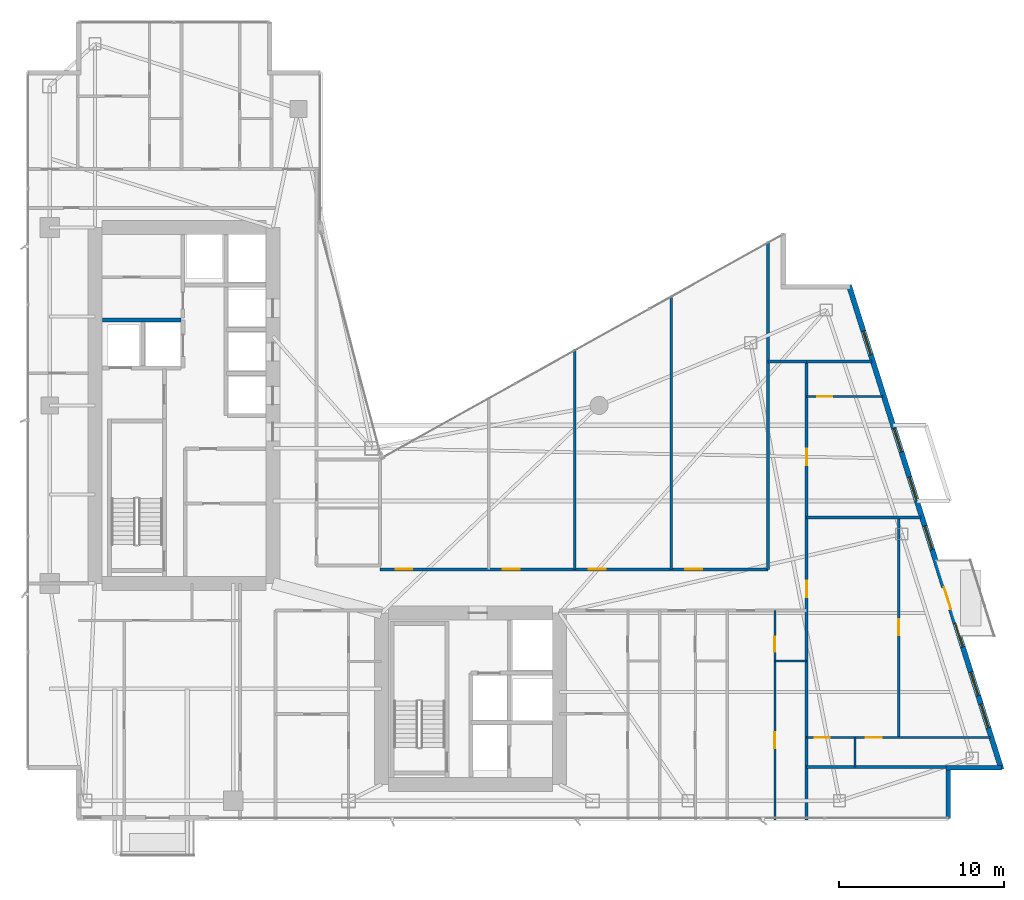
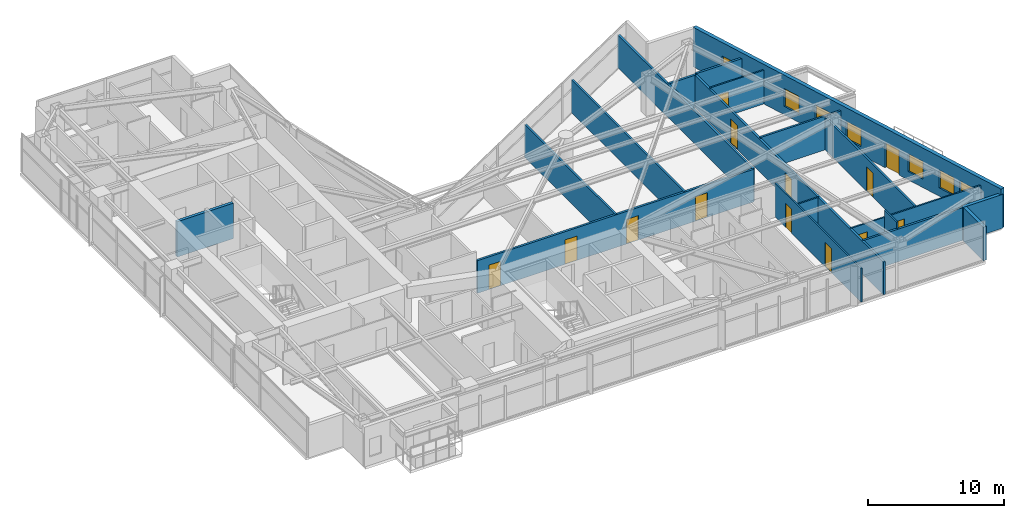
# One storey, part 24 of 28: 19 walls, 13 doors, 7 windows, 20 openings.
"""IFC4 building model written with IfcOpenShell, lengths in metres."""

from ifc_helpers import new_model, si_unit, direction, frame, frame_2d, origin, place, context, subcontext, project, spatial, rectangle, extrude, material, layer, layer_set, type_object, element, fill, save


model = new_model("IFC4")

# Units and contexts
model_context = context("Model", 3, precision=1e-05, world=origin(), true_north=direction((0.0, 1.0)))
body_context = subcontext(model_context, "Body", "Model", "MODEL_VIEW")
ifc_project = project(units=[si_unit("LENGTHUNIT", "METRE"), si_unit("AREAUNIT", "SQUARE_METRE"), si_unit("VOLUMEUNIT", "CUBIC_METRE"), si_unit("PLANEANGLEUNIT", "RADIAN"), si_unit("MASSUNIT", "GRAM", prefix="KILO")], contexts=[model_context])

# Site, building, storey
site_placement = place(None, origin())
site = spatial("IfcSite", under=ifc_project, at=site_placement, CompositionType="ELEMENT")
building_placement = place(site_placement, origin())
building = spatial("IfcBuilding", under=site, at=building_placement, Name="Calvorn Quay Hotel", CompositionType="ELEMENT")
storey_placement = place(building_placement, frame((0.0, 0.0, 178.89990234375)))
storey = spatial("IfcBuildingStorey", under=building, at=storey_placement, Name="L44", CompositionType="ELEMENT", Elevation=178.89990234375)

# Wall, openings, doors
ifc_material_1 = material(Name="Acoustic Fireboard Steel-Stud Partition", Category="steel")
ifc_layer_1 = layer(ifc_material_1, 0.179931640625)
ifc_layer_set_1 = layer_set([ifc_layer_1], Name="WL-CORR-FIRE-180")
wall_type_1 = type_object("IfcWallType", Name="WL-CORR-FIRE-180", PredefinedType="PARTITIONING", material=ifc_layer_set_1)
wall_1_placement = place(storey_placement, frame((21.5, 17.64990234375, 0.0), z_axis=(0.0, 0.0, 1.0), x_axis=(1.0, 0.0, 0.0)))
wall_1 = element("IfcWall", 1, at=wall_1_placement, inside=storey, type_object=wall_type_1, Name="Partition Wall L44-WL-CORR-NE-N", PredefinedType="PARTITIONING", context=body_context, shape_type="SweptSolid", body=[
    extrude(rectangle(XDim=23.550048828125, YDim=0.179931640625, at=frame_2d((11.77490234375, 0.0))), origin(), (0.0, 0.0, 1.0), 2.940185546875),
])
opening_1_placement = place(wall_1_placement, frame((0.949951171875, 0.0, 0.0)))
opening_1 = element("IfcOpeningElement", 2, at=opening_1_placement, cuts=wall_1, Name="Opening D-L44-NS1", PredefinedType="OPENING", context=body_context, shape_type="SweptSolid", body=[
    extrude(rectangle(XDim=1.02001953125, YDim=2.199951171875, at=frame_2d((0.510009765625, 1.10009765625))), frame((0.0, 0.099853515625, 0.0), z_axis=(0.0, -1.0, 0.0), x_axis=(1.0, 0.0, 0.0)), (0.0, 0.0, 1.0), 0.199951171875),
])
opening_2_placement = place(wall_1_placement, frame((7.4599609375, 0.0, 0.0)))
opening_2 = element("IfcOpeningElement", 3, at=opening_2_placement, cuts=wall_1, Name="Opening D-L44-NS2", PredefinedType="OPENING", context=body_context, shape_type="SweptSolid", body=[
    extrude(rectangle(XDim=1.02001953125, YDim=2.199951171875, at=frame_2d((0.510009765625, 1.10009765625))), frame((0.0, 0.099853515625, 0.0), z_axis=(0.0, -1.0, 0.0), x_axis=(1.0, 0.0, 0.0)), (0.0, 0.0, 1.0), 0.199951171875),
])
opening_3_placement = place(wall_1_placement, frame((12.679931640625, 0.0, 0.0)))
opening_3 = element("IfcOpeningElement", 4, at=opening_3_placement, cuts=wall_1, Name="Opening D-L44-NS3", PredefinedType="OPENING", context=body_context, shape_type="SweptSolid", body=[
    extrude(rectangle(XDim=1.02001953125, YDim=2.199951171875, at=frame_2d((0.510009765625, 1.10009765625))), frame((0.0, 0.099853515625, 0.0), z_axis=(0.0, -1.0, 0.0), x_axis=(1.0, 0.0, 0.0)), (0.0, 0.0, 1.0), 0.199951171875),
])
opening_4_placement = place(wall_1_placement, frame((18.5400390625, 0.0, 0.0)))
opening_4 = element("IfcOpeningElement", 5, at=opening_4_placement, cuts=wall_1, Name="Opening D-L44-NS4", PredefinedType="OPENING", context=body_context, shape_type="SweptSolid", body=[
    extrude(rectangle(XDim=1.02001953125, YDim=2.199951171875, at=frame_2d((0.510009765625, 1.10009765625))), frame((0.0, 0.099853515625, 0.0), z_axis=(0.0, -1.0, 0.0), x_axis=(1.0, 0.0, 0.0)), (0.0, 0.0, 1.0), 0.199951171875),
])
ifc_material_2 = material(Name="Solid-Core Walnut Veneer Hotel Fire Door")
door_type_1 = type_object("IfcDoorType", Name="DR-GUEST-ENTRY-1020", OperationType="NOTDEFINED", PredefinedType="DOOR", material=ifc_material_2)
door_1_placement = place(opening_1_placement, origin())
door_1 = element("IfcDoor", 6, at=door_1_placement, inside=storey, type_object=door_type_1, Name="Conservatory Salon Door 1 (L44)", OperationType="SINGLE_SWING_RIGHT", OverallHeight=2.199951171875, OverallWidth=1.02001953125, PredefinedType="DOOR", context=body_context, shape_type="SweptSolid", body=[
    extrude(rectangle(XDim=1.02001953125, YDim=2.199951171875, at=frame_2d((0.510009765625, 1.10009765625))), frame((0.0, 0.02490234375, 0.0), z_axis=(0.0, -1.0, 0.0), x_axis=(1.0, 0.0, 0.0)), (0.0, 0.0, 1.0), 0.050048828125),
])
fill(opening_1, door_1)
door_2_placement = place(opening_2_placement, origin())
door_2 = element("IfcDoor", 7, at=door_2_placement, inside=storey, type_object=door_type_1, Name="Conservatory Salon Door 2 (L44)", OperationType="SINGLE_SWING_LEFT", OverallHeight=2.199951171875, OverallWidth=1.02001953125, PredefinedType="DOOR", context=body_context, shape_type="SweptSolid", body=[
    extrude(rectangle(XDim=1.02001953125, YDim=2.199951171875, at=frame_2d((0.510009765625, 1.10009765625))), frame((0.0, 0.02490234375, 0.0), z_axis=(0.0, -1.0, 0.0), x_axis=(1.0, 0.0, 0.0)), (0.0, 0.0, 1.0), 0.050048828125),
])
fill(opening_2, door_2)
door_3_placement = place(opening_3_placement, origin())
door_3 = element("IfcDoor", 8, at=door_3_placement, inside=storey, type_object=door_type_1, Name="Conservatory Salon Door 3 (L44)", OperationType="SINGLE_SWING_RIGHT", OverallHeight=2.199951171875, OverallWidth=1.02001953125, PredefinedType="DOOR", context=body_context, shape_type="SweptSolid", body=[
    extrude(rectangle(XDim=1.02001953125, YDim=2.199951171875, at=frame_2d((0.510009765625, 1.10009765625))), frame((0.0, 0.02490234375, 0.0), z_axis=(0.0, -1.0, 0.0), x_axis=(1.0, 0.0, 0.0)), (0.0, 0.0, 1.0), 0.050048828125),
])
fill(opening_3, door_3)
door_4_placement = place(opening_4_placement, origin())
door_4 = element("IfcDoor", 9, at=door_4_placement, inside=storey, type_object=door_type_1, Name="Conservatory Salon Door 4 (L44)", OperationType="SINGLE_SWING_LEFT", OverallHeight=2.199951171875, OverallWidth=1.02001953125, PredefinedType="DOOR", context=body_context, shape_type="SweptSolid", body=[
    extrude(rectangle(XDim=1.02001953125, YDim=2.199951171875, at=frame_2d((0.510009765625, 1.10009765625))), frame((0.0, 0.02490234375, 0.0), z_axis=(0.0, -1.0, 0.0), x_axis=(1.0, 0.0, 0.0)), (0.0, 0.0, 1.0), 0.050048828125),
])
fill(opening_4, door_4)

# Walls
wall_2_placement = place(storey_placement, frame((45.050048828125, 17.64990234375, 0.0), z_axis=(0.0, 0.0, 1.0), x_axis=(0.0, 1.0, 0.0)))
element("IfcWall", 10, at=wall_2_placement, inside=storey, type_object=wall_type_1, Name="Partition Wall L44-WL-NE-END-E", PredefinedType="PARTITIONING", context=body_context, shape_type="SweptSolid", body=[
    extrude(rectangle(XDim=19.900146484375, YDim=0.179931640625, at=frame_2d((9.9501953125, 0.0))), origin(), (0.0, 0.0, 1.0), 2.940185546875),
])
wall_3_placement = place(storey_placement, frame((47.39990234375, 5.659912109375, 0.0), z_axis=(0.0, 0.0, 1.0), x_axis=(1.0, 0.0, 0.0)))
element("IfcWall", 11, at=wall_3_placement, inside=storey, type_object=wall_type_1, Name="Partition Wall L44-WL-TIP-S", PredefinedType="PARTITIONING", context=body_context, shape_type="SweptSolid", body=[
    extrude(rectangle(XDim=8.60009765625, YDim=0.179931640625, at=frame_2d((4.300048828125, 0.0))), origin(), (0.0, 0.0, 1.0), 2.940185546875),
])
wall_4_placement = place(storey_placement, frame((47.39990234375, 30.280029296875, 0.0), z_axis=(0.0, 0.0, 1.0), x_axis=(1.0, 0.0, 0.0)))
element("IfcWall", 12, at=wall_4_placement, inside=storey, type_object=wall_type_1, Name="Partition Wall L44-WL-TIP-N", PredefinedType="PARTITIONING", context=body_context, shape_type="SweptSolid", body=[
    extrude(rectangle(XDim=3.960205078125, YDim=0.179931640625, at=frame_2d((1.97998046875, 0.0))), origin(), (0.0, 0.0, 1.0), 3.0400390625),
])

# Wall, openings, doors
wall_5_placement = place(storey_placement, frame((47.39990234375, 2.43994140625, 0.0), z_axis=(0.0, 0.0, 1.0), x_axis=(0.0, 1.0, 0.0)))
wall_5 = element("IfcWall", 13, at=wall_5_placement, inside=storey, type_object=wall_type_1, Name="Partition Wall L44-WL-CORR-TIP-E", PredefinedType="PARTITIONING", context=body_context, shape_type="SweptSolid", body=[
    extrude(rectangle(XDim=27.840087890625, YDim=0.179931640625, at=frame_2d((13.919921875, 0.0))), origin(), (0.0, 0.0, 1.0), 2.940185546875),
])
opening_5_placement = place(wall_5_placement, frame((13.510009765625, 0.0, 0.0)))
opening_5 = element("IfcOpeningElement", 14, at=opening_5_placement, cuts=wall_5, Name="Opening D-L44-U08", PredefinedType="OPENING", context=body_context, shape_type="SweptSolid", body=[
    extrude(rectangle(XDim=1.02001953125, YDim=2.199951171875, at=frame_2d((0.510009765625, 1.10009765625))), frame((0.0, 0.099853515625, 0.0), z_axis=(0.0, -1.0, 0.0), x_axis=(1.0, 0.0, 0.0)), (0.0, 0.0, 1.0), 0.199951171875),
])
opening_6_placement = place(wall_5_placement, frame((21.52001953125, 0.0, 0.0)))
opening_6 = element("IfcOpeningElement", 15, at=opening_6_placement, cuts=wall_5, Name="Opening D-L44-U09", PredefinedType="OPENING", context=body_context, shape_type="SweptSolid", body=[
    extrude(rectangle(XDim=1.02001953125, YDim=2.199951171875, at=frame_2d((0.510009765625, 1.10009765625))), frame((0.0, 0.099853515625, 0.0), z_axis=(0.0, -1.0, 0.0), x_axis=(1.0, 0.0, 0.0)), (0.0, 0.0, 1.0), 0.199951171875),
])
door_5_placement = place(opening_5_placement, origin())
door_5 = element("IfcDoor", 16, at=door_5_placement, inside=storey, type_object=door_type_1, Name="Terrace Suite Door U08 (L44)", OperationType="SINGLE_SWING_LEFT", OverallHeight=2.199951171875, OverallWidth=1.02001953125, PredefinedType="DOOR", context=body_context, shape_type="SweptSolid", body=[
    extrude(rectangle(XDim=1.02001953125, YDim=2.199951171875, at=frame_2d((0.510009765625, 1.10009765625))), frame((0.0, 0.02490234375, 0.0), z_axis=(0.0, -1.0, 0.0), x_axis=(1.0, 0.0, 0.0)), (0.0, 0.0, 1.0), 0.050048828125),
])
fill(opening_5, door_5)
door_6_placement = place(opening_6_placement, origin())
door_6 = element("IfcDoor", 17, at=door_6_placement, inside=storey, type_object=door_type_1, Name="Horizon Suite Door U09 (L44)", OperationType="SINGLE_SWING_RIGHT", OverallHeight=2.199951171875, OverallWidth=1.02001953125, PredefinedType="DOOR", context=body_context, shape_type="SweptSolid", body=[
    extrude(rectangle(XDim=1.02001953125, YDim=2.199951171875, at=frame_2d((0.510009765625, 1.10009765625))), frame((0.0, 0.02490234375, 0.0), z_axis=(0.0, -1.0, 0.0), x_axis=(1.0, 0.0, 0.0)), (0.0, 0.0, 1.0), 0.050048828125),
])
fill(opening_6, door_6)

# Walls
wall_6_placement = place(storey_placement, frame((45.050048828125, 30.280029296875, 0.0), z_axis=(0.0, 0.0, 1.0), x_axis=(1.0, 0.0, 0.0)))
element("IfcWall", 18, at=wall_6_placement, inside=storey, type_object=wall_type_1, Name="Partition Wall L44-WL-CORR-TIP-NN", PredefinedType="PARTITIONING", context=body_context, shape_type="SweptSolid", body=[
    extrude(rectangle(XDim=2.349853515625, YDim=0.179931640625, at=frame_2d((1.1748046875, 0.0))), origin(), (0.0, 0.0, 1.0), 2.940185546875),
])
ifc_material_3 = material(Name="Moisture-Resistant Tile-Backed Partition")
ifc_layer_2 = layer(ifc_material_3, 0.125)
ifc_layer_set_2 = layer_set([ifc_layer_2], Name="WL-ENSUITE-125")
wall_type_2 = type_object("IfcWallType", Name="WL-ENSUITE-125", PredefinedType="PARTITIONING", material=ifc_layer_set_2)
wall_7_placement = place(storey_placement, frame((45.469970703125, 12.10009765625, 0.0), z_axis=(0.0, 0.0, 1.0), x_axis=(1.0, 0.0, 0.0)))
element("IfcWall", 19, at=wall_7_placement, inside=storey, type_object=wall_type_2, Name="Partition Wall L44-WL-U07-BDV", PredefinedType="PARTITIONING", context=body_context, shape_type="SweptSolid", body=[
    extrude(rectangle(XDim=1.929931640625, YDim=0.125, at=frame_2d((0.96484375, 0.0))), origin(), (0.0, 0.0, 1.0), 2.940185546875),
])

# Wall, openings, doors
wall_8_placement = place(storey_placement, frame((45.469970703125, 2.43994140625, 0.0), z_axis=(0.0, 0.0, 1.0), x_axis=(0.0, 1.0, 0.0)))
wall_8 = element("IfcWall", 20, at=wall_8_placement, inside=storey, type_object=wall_type_2, Name="Partition Wall L44-WL-U07-BV", PredefinedType="PARTITIONING", context=body_context, shape_type="SweptSolid", body=[
    extrude(rectangle(XDim=12.7099609375, YDim=0.125, at=frame_2d((6.35498046875, 0.0))), origin(), (0.0, 0.0, 1.0), 3.0400390625),
])
opening_7_placement = place(wall_8_placement, frame((4.35009765625, 0.0, 0.0)))
opening_7 = element("IfcOpeningElement", 21, at=opening_7_placement, cuts=wall_8, Name="Opening D-L44-S07", PredefinedType="OPENING", context=body_context, shape_type="SweptSolid", body=[
    extrude(rectangle(XDim=0.9599609375, YDim=2.199951171875, at=frame_2d((0.47998046875, 1.10009765625))), frame((0.0, 0.072509765625, 0.0), z_axis=(0.0, -1.0, 0.0), x_axis=(1.0, 0.0, 0.0)), (0.0, 0.0, 1.0), 0.14501953125),
])
opening_8_placement = place(wall_8_placement, frame((10.2099609375, 0.0, 0.0)))
opening_8 = element("IfcOpeningElement", 22, at=opening_8_placement, cuts=wall_8, Name="Opening D-L44-E07", PredefinedType="OPENING", context=body_context, shape_type="SweptSolid", body=[
    extrude(rectangle(XDim=0.89990234375, YDim=2.14990234375, at=frame_2d((0.449951171875, 1.074951171875))), frame((0.0, 0.072509765625, 0.0), z_axis=(0.0, -1.0, 0.0), x_axis=(1.0, 0.0, 0.0)), (0.0, 0.0, 1.0), 0.14501953125),
])
ifc_material_4 = material(Name="Moisture-Sealed Timber En-Suite Door", Category="wood")
door_type_2 = type_object("IfcDoorType", Name="DR-ENSUITE-900", OperationType="NOTDEFINED", PredefinedType="DOOR", material=ifc_material_4)
door_7_placement = place(opening_8_placement, origin())
door_7 = element("IfcDoor", 23, at=door_7_placement, inside=storey, type_object=door_type_2, Name="En-Suite Door 07", OperationType="SINGLE_SWING_RIGHT", OverallHeight=2.14990234375, OverallWidth=0.89990234375, PredefinedType="DOOR", context=body_context, shape_type="SweptSolid", body=[
    extrude(rectangle(XDim=0.89990234375, YDim=2.14990234375, at=frame_2d((0.449951171875, 1.074951171875))), frame((0.0, 0.02490234375, 0.0), z_axis=(0.0, -1.0, 0.0), x_axis=(1.0, 0.0, 0.0)), (0.0, 0.0, 1.0), 0.050048828125),
])
fill(opening_8, door_7)
ifc_material_5 = material(Name="Solid Timber Internal Suite Door", Category="wood")
door_type_3 = type_object("IfcDoorType", Name="DR-SUITE-INT-960", OperationType="NOTDEFINED", PredefinedType="DOOR", material=ifc_material_5)
door_8_placement = place(opening_7_placement, origin())
door_8 = element("IfcDoor", 24, at=door_8_placement, inside=storey, type_object=door_type_3, Name="Curated Resort Boutique Door 07", OperationType="SINGLE_SWING_LEFT", OverallHeight=2.199951171875, OverallWidth=0.9599609375, PredefinedType="DOOR", context=body_context, shape_type="SweptSolid", body=[
    extrude(rectangle(XDim=0.9599609375, YDim=2.199951171875, at=frame_2d((0.47998046875, 1.10009765625))), frame((0.0, 0.02490234375, 0.0), z_axis=(0.0, -1.0, 0.0), x_axis=(1.0, 0.0, 0.0)), (0.0, 0.0, 1.0), 0.050048828125),
])
fill(opening_7, door_8)

# Wall
wall_9_placement = place(storey_placement, frame((50.35009765625, 5.659912109375, 0.0), z_axis=(0.0, 0.0, 1.0), x_axis=(0.0, 1.0, 0.0)))
element("IfcWall", 25, at=wall_9_placement, inside=storey, type_object=wall_type_2, Name="Partition Wall L44-WL-U08-BDV", PredefinedType="PARTITIONING", context=body_context, shape_type="SweptSolid", body=[
    extrude(rectangle(XDim=1.7900390625, YDim=0.125, at=frame_2d((0.89501953125, 0.0))), origin(), (0.0, 0.0, 1.0), 3.56005859375),
])

# Wall, openings, doors
wall_10_placement = place(storey_placement, frame((47.39990234375, 7.449951171875, 0.0), z_axis=(0.0, 0.0, 1.0), x_axis=(1.0, 0.0, 0.0)))
wall_10 = element("IfcWall", 26, at=wall_10_placement, inside=storey, type_object=wall_type_2, Name="Partition Wall L44-WL-U08-BH", PredefinedType="PARTITIONING", context=body_context, shape_type="SweptSolid", body=[
    extrude(rectangle(XDim=11.16015625, YDim=0.125, at=frame_2d((5.580078125, 0.0))), origin(), (0.0, 0.0, 1.0), 2.940185546875),
])
opening_9_placement = place(wall_10_placement, frame((0.5, 0.0, 0.0)))
opening_9 = element("IfcOpeningElement", 27, at=opening_9_placement, cuts=wall_10, Name="Opening D-L44-E08", PredefinedType="OPENING", context=body_context, shape_type="SweptSolid", body=[
    extrude(rectangle(XDim=0.89990234375, YDim=2.14990234375, at=frame_2d((0.449951171875, 1.074951171875))), frame((0.0, 0.072509765625, 0.0), z_axis=(0.0, -1.0, 0.0), x_axis=(1.0, 0.0, 0.0)), (0.0, 0.0, 1.0), 0.14501953125),
])
opening_10_placement = place(wall_10_placement, frame((3.60009765625, 0.0, 0.0)))
opening_10 = element("IfcOpeningElement", 28, at=opening_10_placement, cuts=wall_10, Name="Opening D-L44-S08", PredefinedType="OPENING", context=body_context, shape_type="SweptSolid", body=[
    extrude(rectangle(XDim=0.9599609375, YDim=2.199951171875, at=frame_2d((0.47998046875, 1.10009765625))), frame((0.0, 0.072509765625, 0.0), z_axis=(0.0, -1.0, 0.0), x_axis=(1.0, 0.0, 0.0)), (0.0, 0.0, 1.0), 0.14501953125),
])
door_9_placement = place(opening_9_placement, origin())
door_9 = element("IfcDoor", 29, at=door_9_placement, inside=storey, type_object=door_type_2, Name="En-Suite Door 08", OperationType="SINGLE_SWING_LEFT", OverallHeight=2.14990234375, OverallWidth=0.89990234375, PredefinedType="DOOR", context=body_context, shape_type="SweptSolid", body=[
    extrude(rectangle(XDim=0.89990234375, YDim=2.14990234375, at=frame_2d((0.449951171875, 1.074951171875))), frame((0.0, 0.02490234375, 0.0), z_axis=(0.0, -1.0, 0.0), x_axis=(1.0, 0.0, 0.0)), (0.0, 0.0, 1.0), 0.050048828125),
])
fill(opening_9, door_9)
door_10_placement = place(opening_10_placement, origin())
door_10 = element("IfcDoor", 30, at=door_10_placement, inside=storey, type_object=door_type_3, Name="Curated Resort Boutique Door 08", OperationType="SINGLE_SWING_RIGHT", OverallHeight=2.199951171875, OverallWidth=0.9599609375, PredefinedType="DOOR", context=body_context, shape_type="SweptSolid", body=[
    extrude(rectangle(XDim=0.9599609375, YDim=2.199951171875, at=frame_2d((0.47998046875, 1.10009765625))), frame((0.0, 0.02490234375, 0.0), z_axis=(0.0, -1.0, 0.0), x_axis=(1.0, 0.0, 0.0)), (0.0, 0.0, 1.0), 0.050048828125),
])
fill(opening_10, door_10)

# Wall, opening, door
wall_11_placement = place(storey_placement, frame((47.39990234375, 28.14990234375, 0.0), z_axis=(0.0, 0.0, 1.0), x_axis=(1.0, 0.0, 0.0)))
wall_11 = element("IfcWall", 31, at=wall_11_placement, inside=storey, type_object=wall_type_2, Name="Partition Wall L44-WL-U09-BH", PredefinedType="PARTITIONING", context=body_context, shape_type="SweptSolid", body=[
    extrude(rectangle(XDim=4.630126953125, YDim=0.125, at=frame_2d((2.31494140625, 0.0))), origin(), (0.0, 0.0, 1.0), 3.0400390625),
])
opening_11_placement = place(wall_11_placement, frame((0.64990234375, 0.0, 0.0)))
opening_11 = element("IfcOpeningElement", 32, at=opening_11_placement, cuts=wall_11, Name="Opening D-L44-E09", PredefinedType="OPENING", context=body_context, shape_type="SweptSolid", body=[
    extrude(rectangle(XDim=0.89990234375, YDim=2.14990234375, at=frame_2d((0.449951171875, 1.074951171875))), frame((0.0, 0.072509765625, 0.0), z_axis=(0.0, -1.0, 0.0), x_axis=(1.0, 0.0, 0.0)), (0.0, 0.0, 1.0), 0.14501953125),
])
door_11_placement = place(opening_11_placement, origin())
door_11 = element("IfcDoor", 33, at=door_11_placement, inside=storey, type_object=door_type_2, Name="En-Suite Door 09", OperationType="SINGLE_SWING_LEFT", OverallHeight=2.14990234375, OverallWidth=0.89990234375, PredefinedType="DOOR", context=body_context, shape_type="SweptSolid", body=[
    extrude(rectangle(XDim=0.89990234375, YDim=2.14990234375, at=frame_2d((0.449951171875, 1.074951171875))), frame((0.0, 0.02490234375, 0.0), z_axis=(0.0, -1.0, 0.0), x_axis=(1.0, 0.0, 0.0)), (0.0, 0.0, 1.0), 0.050048828125),
])
fill(opening_11, door_11)

# Walls
ifc_material_6 = material(Name="Concrete C40", Category="concrete")
ifc_layer_3 = layer(ifc_material_6, 0.320068359375)
ifc_layer_set_3 = layer_set([ifc_layer_3], Name="WL-EXT-SPANDREL-320")
wall_type_3 = type_object("IfcWallType", Name="WL-EXT-SPANDREL-320", PredefinedType="SOLIDWALL", material=ifc_layer_set_3)
wall_12_placement = place(storey_placement, frame((56.0, 2.52001953125, 0.0), z_axis=(0.0, 0.0, 1.0), x_axis=(0.0, 1.0, 0.0)))
element("IfcWall", 34, at=wall_12_placement, inside=storey, type_object=wall_type_3, Name="Notched Corner Spandrel L44-SE1", PredefinedType="SOLIDWALL", context=body_context, shape_type="SweptSolid", body=[
    extrude(rectangle(XDim=2.93994140625, YDim=0.280029296875, at=frame_2d((1.469970703125, 0.0))), origin(), (0.0, 0.0, 1.0), 3.0400390625),
])
wall_13_placement = place(storey_placement, frame((55.860107421875, 5.60009765625, 0.0), z_axis=(0.0, 0.0, 1.0), x_axis=(1.0, 0.0, 0.0)))
element("IfcWall", 35, at=wall_13_placement, inside=storey, type_object=wall_type_3, Name="Notched Corner Spandrel L44-SE2", PredefinedType="SOLIDWALL", context=body_context, shape_type="SweptSolid", body=[
    extrude(rectangle(XDim=3.3798828125, YDim=0.280029296875, at=frame_2d((1.68994140625, 0.0))), origin(), (0.0, 0.0, 1.0), 3.0400390625),
])

# Wall, openings, door, windows
wall_14_placement = place(storey_placement, frame((59.22998046875, 5.5048828125, 0.0), z_axis=(0.0, 0.0, 1.0), x_axis=(-0.300509063924, 0.953778958931, 0.0)))
wall_14 = element("IfcWall", 36, at=wall_14_placement, inside=storey, type_object=wall_type_3, Name="East Stepped Waterfront Exterior Wall (L44)", PredefinedType="SOLIDWALL", context=body_context, shape_type="SweptSolid", body=[
    extrude(rectangle(XDim=30.814453125, YDim=0.320068359375, at=frame_2d((15.4072265625, 0.0))), origin(), (0.0, 0.0, 1.0), 3.56005859375),
])
opening_12_placement = place(wall_14_placement, frame((10.198974609375, 0.0, 0.0)))
opening_12 = element("IfcOpeningElement", 37, at=opening_12_placement, cuts=wall_14, Name="Opening DB-L44-1", PredefinedType="OPENING", context=body_context, shape_type="SweptSolid", body=[
    extrude(rectangle(XDim=1.39990234375, YDim=2.25, at=frame_2d((0.699951171875, 1.125))), frame((0.0, 0.169921875, 0.0), z_axis=(0.0, -1.0, 0.0), x_axis=(1.0, 0.0, 0.0)), (0.0, 0.0, 1.0), 0.340087890625),
])
opening_13_placement = place(wall_14_placement, frame((2.64990234375, 0.0, 0.75)))
opening_13 = element("IfcOpeningElement", 38, at=opening_13_placement, cuts=wall_14, Name="Opening WG-L44-E1", PredefinedType="OPENING", context=body_context, shape_type="SweptSolid", body=[
    extrude(rectangle(XDim=1.5, YDim=1.60009765625, at=frame_2d((0.75, 0.800048828125))), frame((0.0, 0.169921875, 0.0), z_axis=(0.0, -1.0, 0.0), x_axis=(1.0, 0.0, 0.0)), (0.0, 0.0, 1.0), 0.340087890625),
])
opening_14_placement = place(wall_14_placement, frame((4.699951171875, 0.0, 0.75)))
opening_14 = element("IfcOpeningElement", 39, at=opening_14_placement, cuts=wall_14, Name="Opening WG-L44-E2", PredefinedType="OPENING", context=body_context, shape_type="SweptSolid", body=[
    extrude(rectangle(XDim=1.5, YDim=1.60009765625, at=frame_2d((0.75, 0.800048828125))), frame((0.0, 0.169921875, 0.0), z_axis=(0.0, -1.0, 0.0), x_axis=(1.0, 0.0, 0.0)), (0.0, 0.0, 1.0), 0.340087890625),
])
opening_15_placement = place(wall_14_placement, frame((7.800048828125, 0.0, 0.75)))
opening_15 = element("IfcOpeningElement", 40, at=opening_15_placement, cuts=wall_14, Name="Opening WG-L44-E3", PredefinedType="OPENING", context=body_context, shape_type="SweptSolid", body=[
    extrude(rectangle(XDim=1.5, YDim=1.60009765625, at=frame_2d((0.75, 0.800048828125))), frame((0.0, 0.169921875, 0.0), z_axis=(0.0, -1.0, 0.0), x_axis=(1.0, 0.0, 0.0)), (0.0, 0.0, 1.0), 0.340087890625),
])
opening_16_placement = place(wall_14_placement, frame((14.0, 0.0, 0.75)))
opening_16 = element("IfcOpeningElement", 41, at=opening_16_placement, cuts=wall_14, Name="Opening WG-L44-E4", PredefinedType="OPENING", context=body_context, shape_type="SweptSolid", body=[
    extrude(rectangle(XDim=1.5, YDim=1.60009765625, at=frame_2d((0.75, 0.800048828125))), frame((0.0, 0.169921875, 0.0), z_axis=(0.0, -1.0, 0.0), x_axis=(1.0, 0.0, 0.0)), (0.0, 0.0, 1.0), 0.340087890625),
])
opening_17_placement = place(wall_14_placement, frame((17.10009765625, 0.0, 0.75)))
opening_17 = element("IfcOpeningElement", 42, at=opening_17_placement, cuts=wall_14, Name="Opening WG-L44-E5", PredefinedType="OPENING", context=body_context, shape_type="SweptSolid", body=[
    extrude(rectangle(XDim=1.5, YDim=1.60009765625, at=frame_2d((0.75, 0.800048828125))), frame((0.0, 0.169921875, 0.0), z_axis=(0.0, -1.0, 0.0), x_axis=(1.0, 0.0, 0.0)), (0.0, 0.0, 1.0), 0.340087890625),
])
opening_18_placement = place(wall_14_placement, frame((20.199951171875, 0.0, 0.75)))
opening_18 = element("IfcOpeningElement", 43, at=opening_18_placement, cuts=wall_14, Name="Opening WG-L44-E6", PredefinedType="OPENING", context=body_context, shape_type="SweptSolid", body=[
    extrude(rectangle(XDim=1.5, YDim=1.60009765625, at=frame_2d((0.75, 0.800048828125))), frame((0.0, 0.169921875, 0.0), z_axis=(0.0, -1.0, 0.0), x_axis=(1.0, 0.0, 0.0)), (0.0, 0.0, 1.0), 0.340087890625),
])
opening_19_placement = place(wall_14_placement, frame((26.39990234375, 0.0, 0.75)))
opening_19 = element("IfcOpeningElement", 44, at=opening_19_placement, cuts=wall_14, Name="Opening WG-L44-E7", PredefinedType="OPENING", context=body_context, shape_type="SweptSolid", body=[
    extrude(rectangle(XDim=1.5, YDim=1.60009765625, at=frame_2d((0.75, 0.800048828125))), frame((0.0, 0.169921875, 0.0), z_axis=(0.0, -1.0, 0.0), x_axis=(1.0, 0.0, 0.0)), (0.0, 0.0, 1.0), 0.340087890625),
])
ifc_material_7 = material(Name="Typhoon-Rated Low-E Aluminium Terrace Door", Category="aluminium")
door_type_4 = type_object("IfcDoorType", Name="DR-BALCONY-GLZ-1400", OperationType="NOTDEFINED", PredefinedType="DOOR", material=ifc_material_7)
door_12_placement = place(opening_12_placement, origin())
door_12 = element("IfcDoor", 45, at=door_12_placement, inside=storey, type_object=door_type_4, Name="Tree Balcony Terrace Door L44-BALC-E", OperationType="SINGLE_SWING_LEFT", OverallHeight=2.25, OverallWidth=1.39990234375, PredefinedType="DOOR", context=body_context, shape_type="SweptSolid", body=[
    extrude(rectangle(XDim=1.39990234375, YDim=2.25, at=frame_2d((0.699951171875, 1.125))), frame((0.0, 0.02490234375, 0.0), z_axis=(0.0, -1.0, 0.0), x_axis=(1.0, 0.0, 0.0)), (0.0, 0.0, 1.0), 0.050048828125),
])
fill(opening_12, door_12)
ifc_material_8 = material(Name="Self-Closing Class B Fire Window")
window_type = type_object("IfcWindowType", Name="WIN-REFUGE-1500x1600", PartitioningType="SINGLE_PANEL", PredefinedType="WINDOW", material=ifc_material_8)
window_1_placement = place(opening_13_placement, origin())
window_1 = element("IfcWindow", 46, at=window_1_placement, inside=storey, type_object=window_type, Name="East Facade Window L44-E1", OverallHeight=1.60009765625, OverallWidth=1.5, PartitioningType="SINGLE_PANEL", PredefinedType="WINDOW", context=body_context, shape_type="SweptSolid", body=[
    extrude(rectangle(XDim=1.5, YDim=1.60009765625, at=frame_2d((0.75, 0.800048828125))), frame((0.0, 0.030029296875, 0.0), z_axis=(0.0, -1.0, 0.0), x_axis=(1.0, 0.0, 0.0)), (0.0, 0.0, 1.0), 0.06005859375),
])
fill(opening_13, window_1)
window_2_placement = place(opening_14_placement, origin())
window_2 = element("IfcWindow", 47, at=window_2_placement, inside=storey, type_object=window_type, Name="East Facade Window L44-E2", OverallHeight=1.60009765625, OverallWidth=1.5, PartitioningType="SINGLE_PANEL", PredefinedType="WINDOW", context=body_context, shape_type="SweptSolid", body=[
    extrude(rectangle(XDim=1.5, YDim=1.60009765625, at=frame_2d((0.75, 0.800048828125))), frame((0.0, 0.030029296875, 0.0), z_axis=(0.0, -1.0, 0.0), x_axis=(1.0, 0.0, 0.0)), (0.0, 0.0, 1.0), 0.06005859375),
])
fill(opening_14, window_2)
window_3_placement = place(opening_15_placement, origin())
window_3 = element("IfcWindow", 48, at=window_3_placement, inside=storey, type_object=window_type, Name="East Facade Window L44-E3", OverallHeight=1.60009765625, OverallWidth=1.5, PartitioningType="SINGLE_PANEL", PredefinedType="WINDOW", context=body_context, shape_type="SweptSolid", body=[
    extrude(rectangle(XDim=1.5, YDim=1.60009765625, at=frame_2d((0.75, 0.800048828125))), frame((0.0, 0.030029296875, 0.0), z_axis=(0.0, -1.0, 0.0), x_axis=(1.0, 0.0, 0.0)), (0.0, 0.0, 1.0), 0.06005859375),
])
fill(opening_15, window_3)
window_4_placement = place(opening_16_placement, origin())
window_4 = element("IfcWindow", 49, at=window_4_placement, inside=storey, type_object=window_type, Name="East Facade Window L44-E4", OverallHeight=1.60009765625, OverallWidth=1.5, PartitioningType="SINGLE_PANEL", PredefinedType="WINDOW", context=body_context, shape_type="SweptSolid", body=[
    extrude(rectangle(XDim=1.5, YDim=1.60009765625, at=frame_2d((0.75, 0.800048828125))), frame((0.0, 0.030029296875, 0.0), z_axis=(0.0, -1.0, 0.0), x_axis=(1.0, 0.0, 0.0)), (0.0, 0.0, 1.0), 0.06005859375),
])
fill(opening_16, window_4)
window_5_placement = place(opening_17_placement, origin())
window_5 = element("IfcWindow", 50, at=window_5_placement, inside=storey, type_object=window_type, Name="East Facade Window L44-E5", OverallHeight=1.60009765625, OverallWidth=1.5, PartitioningType="SINGLE_PANEL", PredefinedType="WINDOW", context=body_context, shape_type="SweptSolid", body=[
    extrude(rectangle(XDim=1.5, YDim=1.60009765625, at=frame_2d((0.75, 0.800048828125))), frame((0.0, 0.030029296875, 0.0), z_axis=(0.0, -1.0, 0.0), x_axis=(1.0, 0.0, 0.0)), (0.0, 0.0, 1.0), 0.06005859375),
])
fill(opening_17, window_5)
window_6_placement = place(opening_18_placement, origin())
window_6 = element("IfcWindow", 51, at=window_6_placement, inside=storey, type_object=window_type, Name="East Facade Window L44-E6", OverallHeight=1.60009765625, OverallWidth=1.5, PartitioningType="SINGLE_PANEL", PredefinedType="WINDOW", context=body_context, shape_type="SweptSolid", body=[
    extrude(rectangle(XDim=1.5, YDim=1.60009765625, at=frame_2d((0.75, 0.800048828125))), frame((0.0, 0.030029296875, 0.0), z_axis=(0.0, -1.0, 0.0), x_axis=(1.0, 0.0, 0.0)), (0.0, 0.0, 1.0), 0.06005859375),
])
fill(opening_18, window_6)
window_7_placement = place(opening_19_placement, origin())
window_7 = element("IfcWindow", 52, at=window_7_placement, inside=storey, type_object=window_type, Name="East Facade Window L44-E7", OverallHeight=1.60009765625, OverallWidth=1.5, PartitioningType="SINGLE_PANEL", PredefinedType="WINDOW", context=body_context, shape_type="SweptSolid", body=[
    extrude(rectangle(XDim=1.5, YDim=1.60009765625, at=frame_2d((0.75, 0.800048828125))), frame((0.0, 0.030029296875, 0.0), z_axis=(0.0, -1.0, 0.0), x_axis=(1.0, 0.0, 0.0)), (0.0, 0.0, 1.0), 0.06005859375),
])
fill(opening_19, window_7)

# Walls
ifc_material_9 = material(Name="Double-Stud Acoustic Gypsum Partition")
ifc_layer_4 = layer(ifc_material_9, 0.159912109375)
ifc_layer_set_4 = layer_set([ifc_layer_4], Name="WL-INTERSUITE-160")
wall_type_4 = type_object("IfcWallType", Name="WL-INTERSUITE-160", PredefinedType="PARTITIONING", material=ifc_layer_set_4)
wall_15_placement = place(storey_placement, frame((33.330078125, 17.64990234375, 0.0), z_axis=(0.0, 0.0, 1.0), x_axis=(0.0, 1.0, 0.0)))
element("IfcWall", 53, at=wall_15_placement, inside=storey, type_object=wall_type_4, Name="Partition Wall L44-WL-NE-DIV-2", PredefinedType="PARTITIONING", context=body_context, shape_type="SweptSolid", body=[
    extrude(rectangle(XDim=13.3701171875, YDim=0.159912109375, at=frame_2d((6.68505859375, 0.0))), origin(), (0.0, 0.0, 1.0), 2.940185546875),
])
wall_16_placement = place(storey_placement, frame((39.18994140625, 17.64990234375, 0.0), z_axis=(0.0, 0.0, 1.0), x_axis=(0.0, 1.0, 0.0)))
element("IfcWall", 54, at=wall_16_placement, inside=storey, type_object=wall_type_4, Name="Partition Wall L44-WL-NE-DIV-3", PredefinedType="PARTITIONING", context=body_context, shape_type="SweptSolid", body=[
    extrude(rectangle(XDim=16.630126953125, YDim=0.159912109375, at=frame_2d((8.31494140625, 0.0))), origin(), (0.0, 0.0, 1.0), 2.940185546875),
])

# Wall, opening, door
wall_17_placement = place(storey_placement, frame((52.989990234375, 7.449951171875, 0.0), z_axis=(0.0, 0.0, 1.0), x_axis=(0.0, 1.0, 0.0)))
wall_17 = element("IfcWall", 55, at=wall_17_placement, inside=storey, type_object=wall_type_4, Name="Partition Wall L44-WL-U08-MSP", PredefinedType="PARTITIONING", context=body_context, shape_type="SweptSolid", body=[
    extrude(rectangle(XDim=13.35009765625, YDim=0.159912109375, at=frame_2d((6.675048828125, 0.0))), origin(), (0.0, 0.0, 1.0), 2.940185546875),
])
opening_20_placement = place(wall_17_placement, frame((6.199951171875, 0.0, 0.0)))
opening_20 = element("IfcOpeningElement", 56, at=opening_20_placement, cuts=wall_17, Name="Opening D-L44-M08", PredefinedType="OPENING", context=body_context, shape_type="SweptSolid", body=[
    extrude(rectangle(XDim=0.9599609375, YDim=2.199951171875, at=frame_2d((0.47998046875, 1.10009765625))), frame((0.0, 0.08984375, 0.0), z_axis=(0.0, -1.0, 0.0), x_axis=(1.0, 0.0, 0.0)), (0.0, 0.0, 1.0), 0.179931640625),
])
door_13_placement = place(opening_20_placement, origin())
door_13 = element("IfcDoor", 57, at=door_13_placement, inside=storey, type_object=door_type_3, Name="Suite Bedroom Door 08", OperationType="SINGLE_SWING_LEFT", OverallHeight=2.199951171875, OverallWidth=0.9599609375, PredefinedType="DOOR", context=body_context, shape_type="SweptSolid", body=[
    extrude(rectangle(XDim=0.9599609375, YDim=2.199951171875, at=frame_2d((0.47998046875, 1.10009765625))), frame((0.0, 0.02490234375, 0.0), z_axis=(0.0, -1.0, 0.0), x_axis=(1.0, 0.0, 0.0)), (0.0, 0.0, 1.0), 0.050048828125),
])
fill(opening_20, door_13)

# Walls
wall_18_placement = place(storey_placement, frame((47.39990234375, 20.800048828125, 0.0), z_axis=(0.0, 0.0, 1.0), x_axis=(1.0, 0.0, 0.0)))
element("IfcWall", 58, at=wall_18_placement, inside=storey, type_object=wall_type_4, Name="Partition Wall L44-WL-TIP-DIV", PredefinedType="PARTITIONING", context=body_context, shape_type="SweptSolid", body=[
    extrude(rectangle(XDim=6.9501953125, YDim=0.159912109375, at=frame_2d((3.47509765625, 0.0))), origin(), (0.0, 0.0, 1.0), 3.0400390625),
])
ifc_material_10 = material(Name="Concrete C40", Category="concrete")
ifc_layer_5 = layer(ifc_material_10, 0.239990234375)
ifc_layer_set_5 = layer_set([ifc_layer_5], Name="WL-SHAFT-240")
wall_type_5 = type_object("IfcWallType", Name="WL-SHAFT-240", PredefinedType="SOLIDWALL", material=ifc_layer_set_5)
wall_19_placement = place(storey_placement, frame((4.64501953125, 32.780029296875, 0.0), z_axis=(0.0, 0.0, 1.0), x_axis=(1.0, 0.0, 0.0)))
element("IfcWall", 59, at=wall_19_placement, inside=storey, type_object=wall_type_5, Name="Partition Wall L44-WL-CWW-SLW-N", PredefinedType="SOLIDWALL", context=body_context, shape_type="SweptSolid", body=[
    extrude(rectangle(XDim=4.77490234375, YDim=0.239990234375, at=frame_2d((2.387451171875, 0.0))), origin(), (0.0, 0.0, 1.0), 3.190185546875),
])

save(model, "model.ifc")
